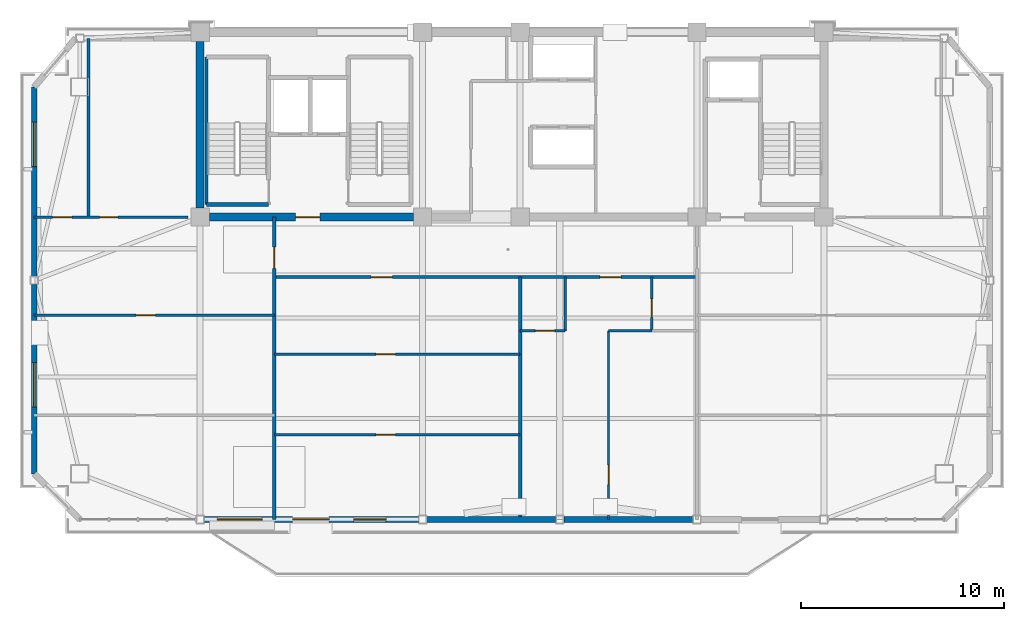
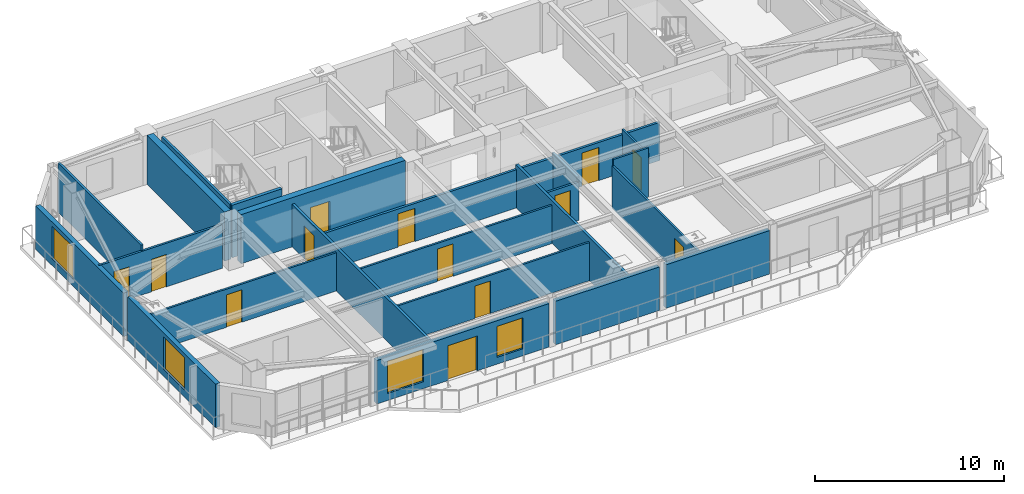
# One storey, part 6 of 12: 22 walls, 13 doors, 4 windows, 17 openings.
"""IFC4 building model written with IfcOpenShell, lengths in metres."""

from ifc_helpers import new_model, si_unit, direction, frame, frame_2d, origin, place, context, subcontext, project, spatial, rectangle, extrude, source, transform, mapped, material, layer, layer_set, type_object, element, fill, save


model = new_model("IFC4")

# Units and contexts
model_context = context("Model", 3, precision=1e-05, world=origin(), true_north=direction((0.0, 1.0)))
body_context = subcontext(model_context, "Body", "Model", "MODEL_VIEW")
ifc_project = project(units=[si_unit("LENGTHUNIT", "METRE"), si_unit("AREAUNIT", "SQUARE_METRE"), si_unit("VOLUMEUNIT", "CUBIC_METRE"), si_unit("PLANEANGLEUNIT", "RADIAN"), si_unit("MASSUNIT", "GRAM", prefix="KILO")], contexts=[model_context])

# Site, building, storey
site_placement = place(None, origin())
site = spatial("IfcSite", under=ifc_project, at=site_placement, CompositionType="ELEMENT")
building_placement = place(site_placement, origin())
building = spatial("IfcBuilding", under=site, at=building_placement, Name="Giltprow Tower", CompositionType="ELEMENT")
storey_placement = place(building_placement, frame((0.0, 0.0, 339.10009765625)))
storey = spatial("IfcBuildingStorey", under=building, at=storey_placement, Name="L88", CompositionType="ELEMENT", Elevation=339.10009765625)

# Wall, openings, windows, door
ifc_material_1 = material(Name="Precast concrete C40", Category="concrete")
ifc_layer_1 = layer(ifc_material_1, 0.280029296875, Name="Precast concrete C40")
ifc_layer_set_1 = layer_set([ifc_layer_1], Name="Precast concrete C40")
wall_type_1 = type_object("IfcWallType", Name="EW-TOW-BRONZE-280", PredefinedType="SOLIDWALL", material=ifc_layer_set_1)
wall_1_placement = place(storey_placement, frame((20.050048828125, 22.568115234375, 0.0), z_axis=(0.0, 0.0, 1.0), x_axis=(1.0, 0.0, 0.0)))
wall_1 = element("IfcWall", 1, at=wall_1_placement, inside=storey, type_object=wall_type_1, Name="L88 South Expressed Frame Wall 2", PredefinedType="SOLIDWALL", context=body_context, shape_type="SweptSolid", body=[
    extrude(rectangle(XDim=10.550048828125, YDim=0.280029296875, at=frame_2d((5.27490234375, 0.0))), origin(), (0.0, 0.0, 1.0), 2.81494140625),
])
opening_1_placement = place(wall_1_placement, frame((4.35009765625, 0.0, 0.0)))
opening_1 = element("IfcOpeningElement", 2, at=opening_1_placement, cuts=wall_1, Name="Opening ED25", PredefinedType="OPENING", context=body_context, shape_type="SweptSolid", body=[
    extrude(rectangle(XDim=1.800048828125, YDim=2.25, at=frame_2d((0.89990234375, 1.125))), frame((0.0, 0.14990234375, 0.0), z_axis=(0.0, -1.0, 0.0), x_axis=(1.0, 0.0, 0.0)), (0.0, 0.0, 1.0), 0.300048828125),
])
opening_2_placement = place(wall_1_placement, frame((0.64990234375, 0.0, 0.449951171875)))
opening_2 = element("IfcOpeningElement", 3, at=opening_2_placement, cuts=wall_1, Name="Opening WN27", PredefinedType="OPENING", context=body_context, shape_type="SweptSolid", body=[
    extrude(rectangle(XDim=2.199951171875, YDim=2.10009765625, at=frame_2d((1.10009765625, 1.050048828125))), frame((0.0, 0.14990234375, 0.0), z_axis=(0.0, -1.0, 0.0), x_axis=(1.0, 0.0, 0.0)), (0.0, 0.0, 1.0), 0.300048828125),
])
opening_3_placement = place(wall_1_placement, frame((7.35009765625, 0.0, 0.449951171875)))
opening_3 = element("IfcOpeningElement", 4, at=opening_3_placement, cuts=wall_1, Name="Opening WN17", PredefinedType="OPENING", context=body_context, shape_type="SweptSolid", body=[
    extrude(rectangle(XDim=1.60009765625, YDim=2.0, at=frame_2d((0.800048828125, 1.0))), frame((0.0, 0.14990234375, 0.0), z_axis=(0.0, -1.0, 0.0), x_axis=(1.0, 0.0, 0.0)), (0.0, 0.0, 1.0), 0.300048828125),
])
ifc_material_2 = material(Name="Insulated glass", Category="glass")
window_type_1 = type_object("IfcWindowType", Name="WN-COR-1600x2000", PartitioningType="SINGLE_PANEL", PredefinedType="WINDOW", material=ifc_material_2)
shared_shape_1 = source(origin(), body_context, "Body", "SweptSolid", [
    extrude(rectangle(XDim=1.60009765625, YDim=2.0, at=frame_2d((0.800048828125, 1.0))), frame((0.0, 0.030029296875, 0.0), z_axis=(0.0, -1.0, 0.0), x_axis=(1.0, 0.0, 0.0)), (0.0, 0.0, 1.0), 0.06005859375),
])
window_1_placement = place(opening_3_placement, origin())
window_1 = element("IfcWindow", 5, at=window_1_placement, inside=storey, type_object=window_type_1, Name="L88 South Window 2B", OverallHeight=2.0, OverallWidth=1.60009765625, PartitioningType="SINGLE_PANEL", PredefinedType="WINDOW", context=body_context, shape_type="MappedRepresentation", body=[
    mapped(shared_shape_1, transform((0.0, 0.0, 0.0), x_axis=(1.0, 0.0, 0.0), y_axis=(0.0, 1.0, 0.0), z_axis=(0.0, 0.0, 1.0), scale=1.0)),
])
fill(opening_3, window_1)
ifc_material_3 = material(Name="Anodized bronze and glass", Category="glass")
door_type_1 = type_object("IfcDoorType", Name="DR-BALC-SLIDE-1800", OperationType="SLIDING_TO_LEFT", PredefinedType="DOOR", material=ifc_material_3)
shared_shape_2 = source(origin(), body_context, "Body", "SweptSolid", [
    extrude(rectangle(XDim=1.800048828125, YDim=2.25, at=frame_2d((0.89990234375, 1.125))), frame((0.0, 0.02490234375, 0.0), z_axis=(0.0, -1.0, 0.0), x_axis=(1.0, 0.0, 0.0)), (0.0, 0.0, 1.0), 0.050048828125),
])
door_1_placement = place(opening_1_placement, origin())
door_1 = element("IfcDoor", 6, at=door_1_placement, inside=storey, type_object=door_type_1, Name="L88 Waterfront Balcony Sliding Door 1", OperationType="SLIDING_TO_LEFT", OverallHeight=2.25, OverallWidth=1.800048828125, PredefinedType="DOOR", context=body_context, shape_type="MappedRepresentation", body=[
    mapped(shared_shape_2, transform((0.0, 0.0, 0.0), x_axis=(1.0, 0.0, 0.0), y_axis=(0.0, 1.0, 0.0), z_axis=(0.0, 0.0, 1.0), scale=1.0)),
])
fill(opening_1, door_1)
window_type_2 = type_object("IfcWindowType", Name="WN-RES-2200x2100", PartitioningType="TRIPLE_PANEL_VERTICAL", PredefinedType="WINDOW", material=ifc_material_2)
shared_shape_3 = source(origin(), body_context, "Body", "SweptSolid", [
    extrude(rectangle(XDim=2.199951171875, YDim=2.10009765625, at=frame_2d((1.10009765625, 1.050048828125))), frame((0.0, 0.030029296875, 0.0), z_axis=(0.0, -1.0, 0.0), x_axis=(1.0, 0.0, 0.0)), (0.0, 0.0, 1.0), 0.06005859375),
])
window_2_placement = place(opening_2_placement, origin())
window_2 = element("IfcWindow", 7, at=window_2_placement, inside=storey, type_object=window_type_2, Name="L88 South Window 2A", OverallHeight=2.10009765625, OverallWidth=2.199951171875, PartitioningType="SINGLE_PANEL", PredefinedType="WINDOW", context=body_context, shape_type="MappedRepresentation", body=[
    mapped(shared_shape_3, transform((0.0, 0.0, 0.0), x_axis=(1.0, 0.0, 0.0), y_axis=(0.0, 1.0, 0.0), z_axis=(0.0, 0.0, 1.0), scale=1.0)),
])
fill(opening_2, window_2)

# Walls
for number, where, z_axis, x_axis, name in (
    (8, (31.0, 22.568115234375, 0.0), (0.0, 0.0, 1.0), (1.0, 0.0, 0.0), "L88 South Expressed Frame Wall 3"),
    (9, (37.75, 22.568115234375, 0.0), (0.0, 0.0, 1.0), (1.0, 0.0, 0.0), "L88 South Expressed Frame Wall 4"),
):
    element("IfcWall", number, at=place(storey_placement, frame(where, z_axis=z_axis, x_axis=x_axis)), inside=storey, type_object=wall_type_1, Name=name, PredefinedType="SOLIDWALL", context=body_context, shape_type="SweptSolid", body=[
        extrude(rectangle(XDim=6.35009765625, YDim=0.280029296875, at=frame_2d((3.175048828125, 0.0))), origin(), (0.0, 0.0, 1.0), 2.81494140625),
    ])

# Wall, opening, window
wall_2_placement = place(storey_placement, frame((11.68505859375, 24.81396484375, 0.0), z_axis=(0.0, 0.0, 1.0), x_axis=(0.0, 1.0, 0.0)))
wall_2 = element("IfcWall", 10, at=wall_2_placement, inside=storey, type_object=wall_type_1, Name="L88 W Wing Masonry Wall 1", PredefinedType="SOLIDWALL", context=body_context, shape_type="SweptSolid", body=[
    extrude(rectangle(XDim=9.320068359375, YDim=0.280029296875, at=frame_2d((4.66015625, 0.0))), origin(), (0.0, 0.0, 1.0), 2.81494140625),
])
opening_4_placement = place(wall_2_placement, frame((3.278076171875, 0.0, 0.449951171875)))
opening_4 = element("IfcOpeningElement", 11, at=opening_4_placement, cuts=wall_2, Name="Opening WN27", PredefinedType="OPENING", context=body_context, shape_type="SweptSolid", body=[
    extrude(rectangle(XDim=2.199951171875, YDim=2.10009765625, at=frame_2d((1.10009765625, 1.050048828125))), frame((0.0, 0.14990234375, 0.0), z_axis=(0.0, -1.0, 0.0), x_axis=(1.0, 0.0, 0.0)), (0.0, 0.0, 1.0), 0.300048828125),
])
window_3_placement = place(opening_4_placement, origin())
window_3 = element("IfcWindow", 12, at=window_3_placement, inside=storey, type_object=window_type_2, Name="L88 W Wing Window 1-1", OverallHeight=2.10009765625, OverallWidth=2.199951171875, PartitioningType="SINGLE_PANEL", PredefinedType="WINDOW", context=body_context, shape_type="MappedRepresentation", body=[
    mapped(shared_shape_3, transform((0.0, 0.0, 0.0), x_axis=(1.0, 0.0, 0.0), y_axis=(0.0, 1.0, 0.0), z_axis=(0.0, 0.0, 1.0), scale=1.0)),
])
fill(opening_4, window_3)

wall_3_placement = place(storey_placement, frame((11.68505859375, 34.533935546875, 0.0), z_axis=(0.0, 0.0, 1.0), x_axis=(0.0, 1.0, 0.0)))
wall_3 = element("IfcWall", 13, at=wall_3_placement, inside=storey, type_object=wall_type_1, Name="L88 W Wing Masonry Wall 2", PredefinedType="SOLIDWALL", context=body_context, shape_type="SweptSolid", body=[
    extrude(rectangle(XDim=9.320068359375, YDim=0.280029296875, at=frame_2d((4.66015625, 0.0))), origin(), (0.0, 0.0, 1.0), 2.81494140625),
])
opening_5_placement = place(wall_3_placement, frame((5.39501953125, 0.0, 0.449951171875)))
opening_5 = element("IfcOpeningElement", 14, at=opening_5_placement, cuts=wall_3, Name="Opening WN27", PredefinedType="OPENING", context=body_context, shape_type="SweptSolid", body=[
    extrude(rectangle(XDim=2.199951171875, YDim=2.10009765625, at=frame_2d((1.10009765625, 1.050048828125))), frame((0.0, 0.14990234375, 0.0), z_axis=(0.0, -1.0, 0.0), x_axis=(1.0, 0.0, 0.0)), (0.0, 0.0, 1.0), 0.300048828125),
])
window_4_placement = place(opening_5_placement, origin())
window_4 = element("IfcWindow", 15, at=window_4_placement, inside=storey, type_object=window_type_2, Name="L88 W Wing Window 2-1", OverallHeight=2.10009765625, OverallWidth=2.199951171875, PartitioningType="SINGLE_PANEL", PredefinedType="WINDOW", context=body_context, shape_type="MappedRepresentation", body=[
    mapped(shared_shape_3, transform((0.0, 0.0, 0.0), x_axis=(1.0, 0.0, 0.0), y_axis=(0.0, 1.0, 0.0), z_axis=(0.0, 0.0, 1.0), scale=1.0)),
])
fill(opening_5, window_4)

# Wall, openings, doors
ifc_material_4 = material(Name="Gypsum stud partition", Category="gypsum")
ifc_layer_2 = layer(ifc_material_4, 0.14990234375, Name="Gypsum stud partition")
ifc_layer_set_2 = layer_set([ifc_layer_2], Name="Gypsum stud partition")
wall_type_2 = type_object("IfcWallType", Name="IW-CORR-150", PredefinedType="PARTITIONING", material=ifc_layer_set_2)
wall_4_placement = place(storey_placement, frame((23.5, 34.5, 0.0), z_axis=(0.0, 0.0, 1.0), x_axis=(1.0, 0.0, 0.0)))
wall_4 = element("IfcWall", 16, at=wall_4_placement, inside=storey, type_object=wall_type_2, Name="L88 Residence Gallery Corridor Wall", PredefinedType="PARTITIONING", context=body_context, shape_type="SweptSolid", body=[
    extrude(rectangle(XDim=20.800048828125, YDim=0.14990234375, at=frame_2d((10.39990234375, 0.0))), origin(), (0.0, 0.0, 1.0), 2.469970703125),
])
opening_6_placement = place(wall_4_placement, frame((4.76708984375, 0.0, 0.0)))
opening_6 = element("IfcOpeningElement", 17, at=opening_6_placement, cuts=wall_4, Name="Opening ID31", PredefinedType="OPENING", context=body_context, shape_type="SweptSolid", body=[
    extrude(rectangle(XDim=1.050048828125, YDim=2.14990234375, at=frame_2d((0.52490234375, 1.074951171875))), frame((0.0, 0.0849609375, 0.0), z_axis=(0.0, -1.0, 0.0), x_axis=(1.0, 0.0, 0.0)), (0.0, 0.0, 1.0), 0.169921875),
])
opening_7_placement = place(wall_4_placement, frame((16.02490234375, 0.0, 0.0)))
opening_7 = element("IfcOpeningElement", 18, at=opening_7_placement, cuts=wall_4, Name="Opening ID31", PredefinedType="OPENING", context=body_context, shape_type="SweptSolid", body=[
    extrude(rectangle(XDim=1.050048828125, YDim=2.14990234375, at=frame_2d((0.52490234375, 1.074951171875))), frame((0.0, 0.0849609375, 0.0), z_axis=(0.0, -1.0, 0.0), x_axis=(1.0, 0.0, 0.0)), (0.0, 0.0, 1.0), 0.169921875),
])
ifc_material_5 = material(Name="Engineered timber", Category="wood")
door_type_2 = type_object("IfcDoorType", Name="DR-SUITE-1050", OperationType="SINGLE_SWING_LEFT", PredefinedType="DOOR", material=ifc_material_5)
shared_shape_4 = source(origin(), body_context, "Body", "SweptSolid", [
    extrude(rectangle(XDim=1.050048828125, YDim=2.14990234375, at=frame_2d((0.52490234375, 1.074951171875))), frame((0.0, 0.02490234375, 0.0), z_axis=(0.0, -1.0, 0.0), x_axis=(1.0, 0.0, 0.0)), (0.0, 0.0, 1.0), 0.050048828125),
])
door_2_placement = place(opening_6_placement, origin())
door_2 = element("IfcDoor", 19, at=door_2_placement, inside=storey, type_object=door_type_2, Name="L88 Residents Sky Club Lounge North Door", OperationType="SINGLE_SWING_LEFT", OverallHeight=2.14990234375, OverallWidth=1.050048828125, PredefinedType="DOOR", context=body_context, shape_type="MappedRepresentation", body=[
    mapped(shared_shape_4, transform((0.0, 0.0, 0.0), x_axis=(1.0, 0.0, 0.0), y_axis=(0.0, 1.0, 0.0), z_axis=(0.0, 0.0, 1.0), scale=1.0)),
])
fill(opening_6, door_2)
door_3_placement = place(opening_7_placement, origin())
door_3 = element("IfcDoor", 20, at=door_3_placement, inside=storey, type_object=door_type_2, Name="L88 Unit 1 Entrance Door", OperationType="SINGLE_SWING_RIGHT", OverallHeight=2.14990234375, OverallWidth=1.050048828125, PredefinedType="DOOR", context=body_context, shape_type="MappedRepresentation", body=[
    mapped(shared_shape_4, transform((0.0, 0.0, 0.0), x_axis=(1.0, 0.0, 0.0), y_axis=(0.0, 1.0, 0.0), z_axis=(0.0, 0.0, 1.0), scale=1.0)),
])
fill(opening_7, door_3)

# Wall, opening, door
ifc_layer_3 = layer(ifc_material_4, 0.159912109375, Name="Gypsum stud partition")
ifc_layer_set_3 = layer_set([ifc_layer_3], Name="Gypsum stud partition")
wall_type_3 = type_object("IfcWallType", Name="IW-DEMISE-160", PredefinedType="PARTITIONING", material=ifc_layer_set_3)
wall_5_placement = place(storey_placement, frame((23.5, 22.568115234375, 0.0), z_axis=(0.0, 0.0, 1.0), x_axis=(0.0, 1.0, 0.0)))
wall_5 = element("IfcWall", 21, at=wall_5_placement, inside=storey, type_object=wall_type_3, Name="L88 Apartment Party Wall 1", PredefinedType="PARTITIONING", context=body_context, shape_type="SweptSolid", body=[
    extrude(rectangle(XDim=14.8818359375, YDim=0.159912109375, at=frame_2d((7.44091796875, 0.0))), origin(), (0.0, 0.0, 1.0), 2.77001953125),
])
opening_8_placement = place(wall_5_placement, frame((12.35205078125, 0.0, 0.0)))
opening_8 = element("IfcOpeningElement", 22, at=opening_8_placement, cuts=wall_5, Name="Opening ID31", PredefinedType="OPENING", context=body_context, shape_type="SweptSolid", body=[
    extrude(rectangle(XDim=1.050048828125, YDim=2.14990234375, at=frame_2d((0.52490234375, 1.074951171875))), frame((0.0, 0.08984375, 0.0), z_axis=(0.0, -1.0, 0.0), x_axis=(1.0, 0.0, 0.0)), (0.0, 0.0, 1.0), 0.179931640625),
])
door_4_placement = place(opening_8_placement, origin())
door_4 = element("IfcDoor", 23, at=door_4_placement, inside=storey, type_object=door_type_2, Name="L88 Penthouse Art Gallery Shop 1 Corridor End Door", OperationType="SINGLE_SWING_RIGHT", OverallHeight=2.14990234375, OverallWidth=1.050048828125, PredefinedType="DOOR", context=body_context, shape_type="MappedRepresentation", body=[
    mapped(shared_shape_4, transform((0.0, 0.0, 0.0), x_axis=(1.0, 0.0, 0.0), y_axis=(0.0, 1.0, 0.0), z_axis=(0.0, 0.0, 1.0), scale=1.0)),
])
fill(opening_8, door_4)

# Wall
wall_6_placement = place(storey_placement, frame((35.60009765625, 22.568115234375, 0.0), z_axis=(0.0, 0.0, 1.0), x_axis=(0.0, 1.0, 0.0)))
element("IfcWall", 24, at=wall_6_placement, inside=storey, type_object=wall_type_3, Name="L88 Apartment Party Wall 2", PredefinedType="PARTITIONING", context=body_context, shape_type="SweptSolid", body=[
    extrude(rectangle(XDim=11.931884765625, YDim=0.159912109375, at=frame_2d((5.9658203125, 0.0))), origin(), (0.0, 0.0, 1.0), 2.77001953125),
])

# Wall, opening, door
ifc_layer_4 = layer(ifc_material_4, 0.1201171875, Name="Gypsum stud partition")
ifc_layer_set_4 = layer_set([ifc_layer_4], Name="Gypsum stud partition")
wall_type_4 = type_object("IfcWallType", Name="IW-ROOM-120", PredefinedType="PARTITIONING", material=ifc_layer_set_4)
wall_7_placement = place(storey_placement, frame((11.68505859375, 32.615966796875, 0.0), z_axis=(0.0, 0.0, 1.0), x_axis=(1.0, 0.0, 0.0)))
wall_7 = element("IfcWall", 25, at=wall_7_placement, inside=storey, type_object=wall_type_4, Name="L88 Special Split 2", PredefinedType="PARTITIONING", context=body_context, shape_type="SweptSolid", body=[
    extrude(rectangle(XDim=11.81494140625, YDim=0.1201171875, at=frame_2d((5.907470703125, 0.0))), origin(), (0.0, 0.0, 1.0), 2.469970703125),
])
opening_9_placement = place(wall_7_placement, frame((5.011962890625, 0.0, 0.0)))
opening_9 = element("IfcOpeningElement", 26, at=opening_9_placement, cuts=wall_7, Name="Opening ID11", PredefinedType="OPENING", context=body_context, shape_type="SweptSolid", body=[
    extrude(rectangle(XDim=0.949951171875, YDim=2.10009765625, at=frame_2d((0.47509765625, 1.050048828125))), frame((0.0, 0.070068359375, 0.0), z_axis=(0.0, -1.0, 0.0), x_axis=(1.0, 0.0, 0.0)), (0.0, 0.0, 1.0), 0.14013671875),
])
door_type_3 = type_object("IfcDoorType", Name="DR-ROOM-950", OperationType="SINGLE_SWING_RIGHT", PredefinedType="DOOR", material=ifc_material_5)
shared_shape_5 = source(origin(), body_context, "Body", "SweptSolid", [
    extrude(rectangle(XDim=0.949951171875, YDim=2.10009765625, at=frame_2d((0.47509765625, 1.050048828125))), frame((0.0, 0.02490234375, 0.0), z_axis=(0.0, -1.0, 0.0), x_axis=(1.0, 0.0, 0.0)), (0.0, 0.0, 1.0), 0.050048828125),
])
door_5_placement = place(opening_9_placement, origin())
door_5 = element("IfcDoor", 27, at=door_5_placement, inside=storey, type_object=door_type_3, Name="L88 Penthouse Art Gallery Shop 1 Mid Door", OperationType="SINGLE_SWING_LEFT", OverallHeight=2.10009765625, OverallWidth=0.949951171875, PredefinedType="DOOR", context=body_context, shape_type="MappedRepresentation", body=[
    mapped(shared_shape_5, transform((0.0, 0.0, 0.0), x_axis=(1.0, 0.0, 0.0), y_axis=(0.0, 1.0, 0.0), z_axis=(0.0, 0.0, 1.0), scale=1.0)),
])
fill(opening_9, door_5)

wall_8_placement = place(storey_placement, frame((23.5, 26.72998046875, 0.0), z_axis=(0.0, 0.0, 1.0), x_axis=(1.0, 0.0, 0.0)))
wall_8 = element("IfcWall", 28, at=wall_8_placement, inside=storey, type_object=wall_type_4, Name="L88 Special Split 1", PredefinedType="PARTITIONING", context=body_context, shape_type="SweptSolid", body=[
    extrude(rectangle(XDim=12.10009765625, YDim=0.1201171875, at=frame_2d((6.050048828125, 0.0))), origin(), (0.0, 0.0, 1.0), 2.469970703125),
])
opening_10_placement = place(wall_8_placement, frame((5.006103515625, 0.0, 0.0)))
opening_10 = element("IfcOpeningElement", 29, at=opening_10_placement, cuts=wall_8, Name="Opening ID11", PredefinedType="OPENING", context=body_context, shape_type="SweptSolid", body=[
    extrude(rectangle(XDim=0.949951171875, YDim=2.10009765625, at=frame_2d((0.47509765625, 1.050048828125))), frame((0.0, 0.070068359375, 0.0), z_axis=(0.0, -1.0, 0.0), x_axis=(1.0, 0.0, 0.0)), (0.0, 0.0, 1.0), 0.14013671875),
])
door_6_placement = place(opening_10_placement, origin())
door_6 = element("IfcDoor", 30, at=door_6_placement, inside=storey, type_object=door_type_3, Name="L88 Residents Sky Club Lounge South Door", OperationType="SINGLE_SWING_LEFT", OverallHeight=2.10009765625, OverallWidth=0.949951171875, PredefinedType="DOOR", context=body_context, shape_type="MappedRepresentation", body=[
    mapped(shared_shape_5, transform((0.0, 0.0, 0.0), x_axis=(1.0, 0.0, 0.0), y_axis=(0.0, 1.0, 0.0), z_axis=(0.0, 0.0, 1.0), scale=1.0)),
])
fill(opening_10, door_6)

wall_9_placement = place(storey_placement, frame((23.5, 30.69091796875, 0.0), z_axis=(0.0, 0.0, 1.0), x_axis=(1.0, 0.0, 0.0)))
wall_9 = element("IfcWall", 31, at=wall_9_placement, inside=storey, type_object=wall_type_4, Name="L88 Special Split 2", PredefinedType="PARTITIONING", context=body_context, shape_type="SweptSolid", body=[
    extrude(rectangle(XDim=12.10009765625, YDim=0.1201171875, at=frame_2d((6.050048828125, 0.0))), origin(), (0.0, 0.0, 1.0), 2.469970703125),
])
opening_11_placement = place(wall_9_placement, frame((5.006103515625, 0.0, 0.0)))
opening_11 = element("IfcOpeningElement", 32, at=opening_11_placement, cuts=wall_9, Name="Opening ID11", PredefinedType="OPENING", context=body_context, shape_type="SweptSolid", body=[
    extrude(rectangle(XDim=0.949951171875, YDim=2.10009765625, at=frame_2d((0.47509765625, 1.050048828125))), frame((0.0, 0.070068359375, 0.0), z_axis=(0.0, -1.0, 0.0), x_axis=(1.0, 0.0, 0.0)), (0.0, 0.0, 1.0), 0.14013671875),
])
door_7_placement = place(opening_11_placement, origin())
door_7 = element("IfcDoor", 33, at=door_7_placement, inside=storey, type_object=door_type_3, Name="L88 Residents Sky Club Lounge Mid Door", OperationType="SINGLE_SWING_RIGHT", OverallHeight=2.10009765625, OverallWidth=0.949951171875, PredefinedType="DOOR", context=body_context, shape_type="MappedRepresentation", body=[
    mapped(shared_shape_5, transform((0.0, 0.0, 0.0), x_axis=(1.0, 0.0, 0.0), y_axis=(0.0, 1.0, 0.0), z_axis=(0.0, 0.0, 1.0), scale=1.0)),
])
fill(opening_11, door_7)

# Wall
wall_10_placement = place(storey_placement, frame((39.949951171875, 31.85009765625, 0.0), z_axis=(0.0, 0.0, 1.0), x_axis=(1.0, 0.0, 0.0)))
element("IfcWall", 34, at=wall_10_placement, inside=storey, type_object=wall_type_4, Name="L88 Unit 1 Bedroom North Wall", PredefinedType="PARTITIONING", context=body_context, shape_type="SweptSolid", body=[
    extrude(rectangle(XDim=2.135009765625, YDim=0.1201171875, at=frame_2d((1.0673828125, 0.0))), origin(), (0.0, 0.0, 1.0), 3.184814453125),
])

# Wall, opening, door
wall_11_placement = place(storey_placement, frame((39.949951171875, 22.568115234375, 0.0), z_axis=(0.0, 0.0, 1.0), x_axis=(0.0, 1.0, 0.0)))
wall_11 = element("IfcWall", 35, at=wall_11_placement, inside=storey, type_object=wall_type_4, Name="L88 Unit 1 Bedroom Wall", PredefinedType="PARTITIONING", context=body_context, shape_type="SweptSolid", body=[
    extrude(rectangle(XDim=9.281982421875, YDim=0.1201171875, at=frame_2d((4.64111328125, 0.0))), origin(), (0.0, 0.0, 1.0), 2.77001953125),
])
opening_12_placement = place(wall_11_placement, frame((1.719970703125, 0.0, 0.0)))
opening_12 = element("IfcOpeningElement", 36, at=opening_12_placement, cuts=wall_11, Name="Opening ID11", PredefinedType="OPENING", context=body_context, shape_type="SweptSolid", body=[
    extrude(rectangle(XDim=0.949951171875, YDim=2.10009765625, at=frame_2d((0.47509765625, 1.050048828125))), frame((0.0, 0.070068359375, 0.0), z_axis=(0.0, -1.0, 0.0), x_axis=(1.0, 0.0, 0.0)), (0.0, 0.0, 1.0), 0.14013671875),
])
door_8_placement = place(opening_12_placement, origin())
door_8 = element("IfcDoor", 37, at=door_8_placement, inside=storey, type_object=door_type_3, Name="L88 Unit 1 Primary Bedroom Door", OperationType="SINGLE_SWING_LEFT", OverallHeight=2.10009765625, OverallWidth=0.949951171875, PredefinedType="DOOR", context=body_context, shape_type="MappedRepresentation", body=[
    mapped(shared_shape_5, transform((0.0, 0.0, 0.0), x_axis=(1.0, 0.0, 0.0), y_axis=(0.0, 1.0, 0.0), z_axis=(0.0, 0.0, 1.0), scale=1.0)),
])
fill(opening_12, door_8)

# Walls
ifc_material_6 = material(Name="Concrete C45", Category="concrete")
ifc_layer_5 = layer(ifc_material_6, 0.139892578125, Name="Concrete C45")
ifc_layer_set_5 = layer_set([ifc_layer_5], Name="Concrete C45")
wall_type_5 = type_object("IfcWallType", Name="IW-STAIR-140", PredefinedType="SOLIDWALL", material=ifc_layer_set_5)
wall_12_placement = place(storey_placement, frame((20.169921875, 38.070068359375, 0.0), z_axis=(0.0, 0.0, 1.0), x_axis=(0.0, 1.0, 0.0)))
element("IfcWall", 38, at=wall_12_placement, inside=storey, type_object=wall_type_5, Name="L88 Stair ST-1 West Bearing Wall", PredefinedType="SOLIDWALL", context=body_context, shape_type="SweptSolid", body=[
    extrude(rectangle(XDim=7.25, YDim=0.139892578125, at=frame_2d((3.625, 0.0))), origin(), (0.0, 0.0, 1.0), 3.39990234375),
])
ifc_material_7 = material(Name="Concrete C40", Category="concrete")
ifc_layer_6 = layer(ifc_material_7, 0.199951171875, Name="Concrete C40")
ifc_layer_set_6 = layer_set([ifc_layer_6], Name="Concrete C40")
wall_type_6 = type_object("IfcWallType", Name="IW-STAIR-200", PredefinedType="SOLIDWALL", material=ifc_layer_set_6)
wall_13_placement = place(storey_placement, frame((20.169921875, 38.070068359375, 0.0), z_axis=(0.0, 0.0, 1.0), x_axis=(1.0, 0.0, 0.0)))
element("IfcWall", 39, at=wall_13_placement, inside=storey, type_object=wall_type_6, Name="L88 Stair ST-1 South Bearing Wall", PredefinedType="SOLIDWALL", context=body_context, shape_type="SweptSolid", body=[
    extrude(rectangle(XDim=3.050048828125, YDim=0.199951171875, at=frame_2d((1.52490234375, 0.0))), origin(), (0.0, 0.0, 1.0), 3.39990234375),
])

# Wall, opening, door
ifc_material_8 = material(Name="Concrete C30", Category="concrete")
ifc_layer_7 = layer(ifc_material_8, 0.1298828125, Name="Concrete C30")
ifc_layer_set_7 = layer_set([ifc_layer_7], Name="Concrete C30")
wall_type_7 = type_object("IfcWallType", Name="IW-WET-130", PredefinedType="PARTITIONING", material=ifc_layer_set_7)
wall_14_placement = place(storey_placement, frame((35.60009765625, 31.85009765625, 0.0), z_axis=(0.0, 0.0, 1.0), x_axis=(1.0, 0.0, 0.0)))
wall_14 = element("IfcWall", 40, at=wall_14_placement, inside=storey, type_object=wall_type_7, Name="L88 Unit 1 Kitchen South Wall", PredefinedType="PARTITIONING", context=body_context, shape_type="SweptSolid", body=[
    extrude(rectangle(XDim=2.21484375, YDim=0.1298828125, at=frame_2d((1.107421875, 0.0))), origin(), (0.0, 0.0, 1.0), 2.469970703125),
])
opening_13_placement = place(wall_14_placement, frame((0.751953125, 0.0, 0.0)))
opening_13 = element("IfcOpeningElement", 41, at=opening_13_placement, cuts=wall_14, Name="Opening ID11", PredefinedType="OPENING", context=body_context, shape_type="SweptSolid", body=[
    extrude(rectangle(XDim=0.949951171875, YDim=2.10009765625, at=frame_2d((0.47509765625, 1.050048828125))), frame((0.0, 0.074951171875, 0.0), z_axis=(0.0, -1.0, 0.0), x_axis=(1.0, 0.0, 0.0)), (0.0, 0.0, 1.0), 0.14990234375),
])
door_9_placement = place(opening_13_placement, origin())
door_9 = element("IfcDoor", 42, at=door_9_placement, inside=storey, type_object=door_type_3, Name="L88 Unit 1 Kitchen Door", OperationType="SINGLE_SWING_LEFT", OverallHeight=2.10009765625, OverallWidth=0.949951171875, PredefinedType="DOOR", context=body_context, shape_type="MappedRepresentation", body=[
    mapped(shared_shape_5, transform((0.0, 0.0, 0.0), x_axis=(1.0, 0.0, 0.0), y_axis=(0.0, 1.0, 0.0), z_axis=(0.0, 0.0, 1.0), scale=1.0)),
])
fill(opening_13, door_9)

# Wall
wall_15_placement = place(storey_placement, frame((37.81494140625, 31.85009765625, 0.0), z_axis=(0.0, 0.0, 1.0), x_axis=(0.0, 1.0, 0.0)))
element("IfcWall", 43, at=wall_15_placement, inside=storey, type_object=wall_type_7, Name="L88 Unit 1 Kitchen East Wall", PredefinedType="PARTITIONING", context=body_context, shape_type="SweptSolid", body=[
    extrude(rectangle(XDim=2.64990234375, YDim=0.1298828125, at=frame_2d((1.324951171875, 0.0))), origin(), (0.0, 0.0, 1.0), 2.77001953125),
])

# Wall, opening, door
wall_16_placement = place(storey_placement, frame((42.0849609375, 31.85009765625, 0.0), z_axis=(0.0, 0.0, 1.0), x_axis=(0.0, 1.0, 0.0)))
wall_16 = element("IfcWall", 44, at=wall_16_placement, inside=storey, type_object=wall_type_7, Name="L88 Unit 1 Bathroom West Wall", PredefinedType="PARTITIONING", context=body_context, shape_type="SweptSolid", body=[
    extrude(rectangle(XDim=2.64990234375, YDim=0.1298828125, at=frame_2d((1.324951171875, 0.0))), origin(), (0.0, 0.0, 1.0), 2.77001953125),
])
opening_14_placement = place(wall_16_placement, frame((0.669921875, 0.0, 0.0)))
opening_14 = element("IfcOpeningElement", 45, at=opening_14_placement, cuts=wall_16, Name="Opening ID15", PredefinedType="OPENING", context=body_context, shape_type="SweptSolid", body=[
    extrude(rectangle(XDim=0.89990234375, YDim=2.10009765625, at=frame_2d((0.449951171875, 1.050048828125))), frame((0.0, 0.074951171875, 0.0), z_axis=(0.0, -1.0, 0.0), x_axis=(1.0, 0.0, 0.0)), (0.0, 0.0, 1.0), 0.14990234375),
])
door_type_4 = type_object("IfcDoorType", Name="DR-WC-900", OperationType="SINGLE_SWING_LEFT", PredefinedType="DOOR", material=ifc_material_5)
shared_shape_6 = source(origin(), body_context, "Body", "SweptSolid", [
    extrude(rectangle(XDim=0.89990234375, YDim=2.10009765625, at=frame_2d((0.449951171875, 1.050048828125))), frame((0.0, 0.02490234375, 0.0), z_axis=(0.0, -1.0, 0.0), x_axis=(1.0, 0.0, 0.0)), (0.0, 0.0, 1.0), 0.050048828125),
])
door_10_placement = place(opening_14_placement, origin())
door_10 = element("IfcDoor", 46, at=door_10_placement, inside=storey, type_object=door_type_4, Name="L88 Unit 1 Bathroom Door", OperationType="SINGLE_SWING_RIGHT", OverallHeight=2.10009765625, OverallWidth=0.89990234375, PredefinedType="DOOR", context=body_context, shape_type="MappedRepresentation", body=[
    mapped(shared_shape_6, transform((0.0, 0.0, 0.0), x_axis=(1.0, 0.0, 0.0), y_axis=(0.0, 1.0, 0.0), z_axis=(0.0, 0.0, 1.0), scale=1.0)),
])
fill(opening_14, door_10)

# Wall, openings, doors
wall_17_placement = place(storey_placement, frame((11.68505859375, 37.449951171875, 0.0), z_axis=(0.0, 0.0, 1.0), x_axis=(1.0, 0.0, 0.0)))
wall_17 = element("IfcWall", 47, at=wall_17_placement, inside=storey, type_object=wall_type_7, Name="L88 NW Wing South Wall", PredefinedType="PARTITIONING", context=body_context, shape_type="SweptSolid", body=[
    extrude(rectangle(XDim=7.56494140625, YDim=0.1298828125, at=frame_2d((3.782470703125, 0.0))), origin(), (0.0, 0.0, 1.0), 2.81982421875),
])
opening_15_placement = place(wall_17_placement, frame((0.89990234375, 0.0, 0.0)))
opening_15 = element("IfcOpeningElement", 48, at=opening_15_placement, cuts=wall_17, Name="Opening ID11", PredefinedType="OPENING", context=body_context, shape_type="SweptSolid", body=[
    extrude(rectangle(XDim=0.949951171875, YDim=2.10009765625, at=frame_2d((0.47509765625, 1.050048828125))), frame((0.0, 0.074951171875, 0.0), z_axis=(0.0, -1.0, 0.0), x_axis=(1.0, 0.0, 0.0)), (0.0, 0.0, 1.0), 0.14990234375),
])
opening_16_placement = place(wall_17_placement, frame((3.219970703125, 0.0, 0.0)))
opening_16 = element("IfcOpeningElement", 49, at=opening_16_placement, cuts=wall_17, Name="Opening ID15", PredefinedType="OPENING", context=body_context, shape_type="SweptSolid", body=[
    extrude(rectangle(XDim=0.89990234375, YDim=2.10009765625, at=frame_2d((0.449951171875, 1.050048828125))), frame((0.0, 0.074951171875, 0.0), z_axis=(0.0, -1.0, 0.0), x_axis=(1.0, 0.0, 0.0)), (0.0, 0.0, 1.0), 0.14990234375),
])
door_11_placement = place(opening_16_placement, origin())
door_11 = element("IfcDoor", 50, at=door_11_placement, inside=storey, type_object=door_type_4, Name="L88 NW Washroom Door", OperationType="SINGLE_SWING_RIGHT", OverallHeight=2.10009765625, OverallWidth=0.89990234375, PredefinedType="DOOR", context=body_context, shape_type="MappedRepresentation", body=[
    mapped(shared_shape_6, transform((0.0, 0.0, 0.0), x_axis=(1.0, 0.0, 0.0), y_axis=(0.0, 1.0, 0.0), z_axis=(0.0, 0.0, 1.0), scale=1.0)),
])
fill(opening_16, door_11)
door_12_placement = place(opening_15_placement, origin())
door_12 = element("IfcDoor", 51, at=door_12_placement, inside=storey, type_object=door_type_3, Name="L88 Residents Study Office West Door", OperationType="SINGLE_SWING_LEFT", OverallHeight=2.10009765625, OverallWidth=0.949951171875, PredefinedType="DOOR", context=body_context, shape_type="MappedRepresentation", body=[
    mapped(shared_shape_5, transform((0.0, 0.0, 0.0), x_axis=(1.0, 0.0, 0.0), y_axis=(0.0, 1.0, 0.0), z_axis=(0.0, 0.0, 1.0), scale=1.0)),
])
fill(opening_15, door_12)

# Wall
wall_18_placement = place(storey_placement, frame((14.35498046875, 37.449951171875, 0.0), z_axis=(0.0, 0.0, 1.0), x_axis=(0.0, 1.0, 0.0)))
element("IfcWall", 52, at=wall_18_placement, inside=storey, type_object=wall_type_7, Name="L88 NW Wing Divider", PredefinedType="PARTITIONING", context=body_context, shape_type="SweptSolid", body=[
    extrude(rectangle(XDim=8.800048828125, YDim=0.1298828125, at=frame_2d((4.39990234375, 0.0))), origin(), (0.0, 0.0, 1.0), 3.184814453125),
])

# Wall, opening, door
ifc_layer_8 = layer(ifc_material_6, 0.39990234375, Name="Concrete C45")
ifc_layer_set_8 = layer_set([ifc_layer_8], Name="Concrete C45")
wall_type_8 = type_object("IfcWallType", Name="SW-INT-400-C45", PredefinedType="SHEAR", material=ifc_layer_set_8)
wall_19_placement = place(storey_placement, frame((20.300048828125, 37.449951171875, 0.0), z_axis=(0.0, 0.0, 1.0), x_axis=(1.0, 0.0, 0.0)))
wall_19 = element("IfcWall", 53, at=wall_19_placement, inside=storey, type_object=wall_type_8, Name="L88 South Rear Core Shear Wall West", PredefinedType="SHEAR", context=body_context, shape_type="SweptSolid", body=[
    extrude(rectangle(XDim=10.050048828125, YDim=0.39990234375, at=frame_2d((5.02490234375, 0.0))), origin(), (0.0, 0.0, 1.0), 3.184814453125),
])
opening_17_placement = place(wall_19_placement, frame((4.25, 0.0, 0.0)))
opening_17 = element("IfcOpeningElement", 54, at=opening_17_placement, cuts=wall_19, Name="Opening ID19", PredefinedType="OPENING", context=body_context, shape_type="SweptSolid", body=[
    extrude(rectangle(XDim=1.199951171875, YDim=2.14990234375, at=frame_2d((0.60009765625, 1.074951171875))), frame((0.0, 0.2099609375, 0.0), z_axis=(0.0, -1.0, 0.0), x_axis=(1.0, 0.0, 0.0)), (0.0, 0.0, 1.0), 0.419921875),
])
ifc_material_9 = material(Name="Steel fire leaf", Category="steel")
door_type_5 = type_object("IfcDoorType", Name="DR-FFLOBBY-1200", OperationType="SINGLE_SWING_RIGHT", PredefinedType="DOOR", material=ifc_material_9)
shared_shape_7 = source(origin(), body_context, "Body", "SweptSolid", [
    extrude(rectangle(XDim=1.199951171875, YDim=2.14990234375, at=frame_2d((0.60009765625, 1.074951171875))), frame((0.0, 0.02490234375, 0.0), z_axis=(0.0, -1.0, 0.0), x_axis=(1.0, 0.0, 0.0)), (0.0, 0.0, 1.0), 0.050048828125),
])
door_13_placement = place(opening_17_placement, origin())
door_13 = element("IfcDoor", 55, at=door_13_placement, inside=storey, type_object=door_type_5, Name="L88 West Firefighting Lobby Entry Door", OperationType="SINGLE_SWING_RIGHT", OverallHeight=2.14990234375, OverallWidth=1.199951171875, PredefinedType="DOOR", context=body_context, shape_type="MappedRepresentation", body=[
    mapped(shared_shape_7, transform((0.0, 0.0, 0.0), x_axis=(1.0, 0.0, 0.0), y_axis=(0.0, 1.0, 0.0), z_axis=(0.0, 0.0, 1.0), scale=1.0)),
])
fill(opening_17, door_13)

# Wall
wall_20_placement = place(storey_placement, frame((19.85009765625, 37.89990234375, 0.0), z_axis=(0.0, 0.0, 1.0), x_axis=(0.0, 1.0, 0.0)))
element("IfcWall", 56, at=wall_20_placement, inside=storey, type_object=wall_type_8, Name="L88 W Rear Core Shear Wall", PredefinedType="SHEAR", context=body_context, shape_type="SweptSolid", body=[
    extrude(rectangle(XDim=8.2001953125, YDim=0.39990234375, at=frame_2d((4.10009765625, 0.0))), origin(), (0.0, 0.0, 1.0), 3.184814453125),
])

save(model, "model.ifc")
